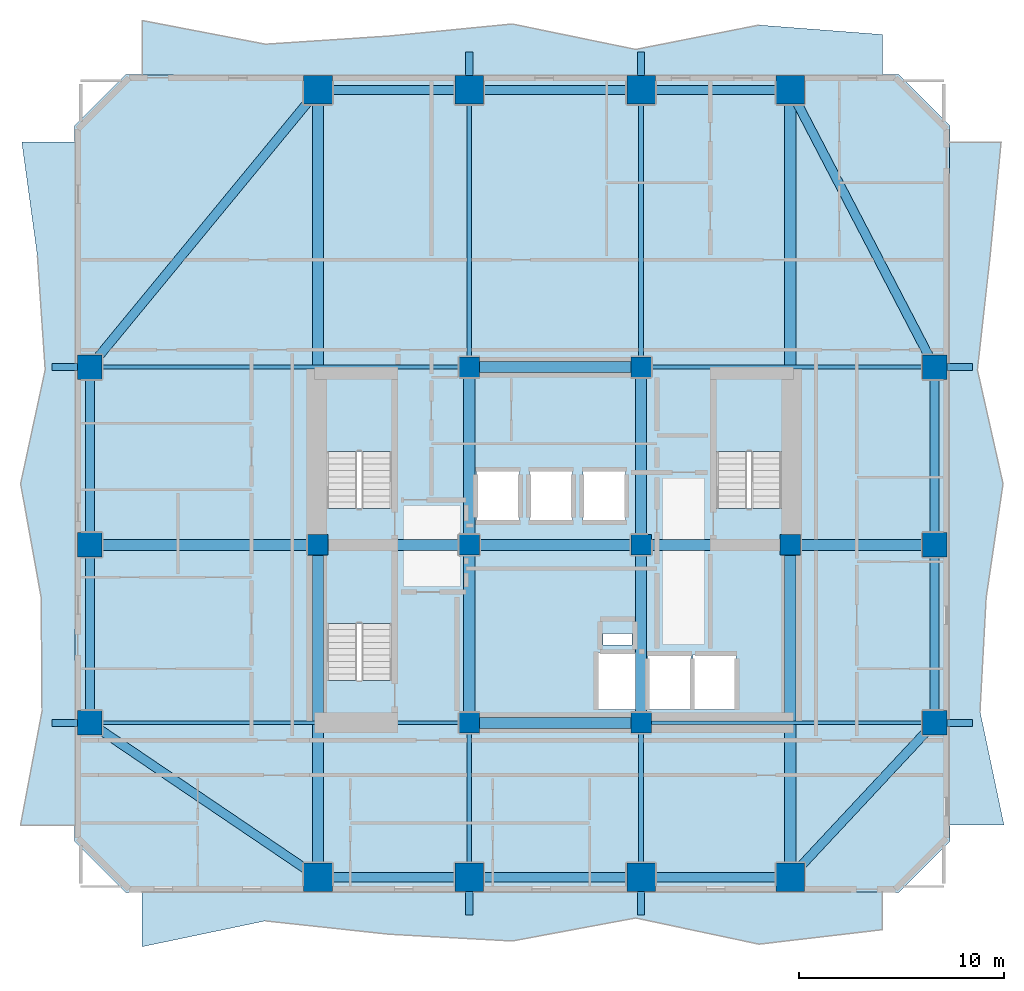
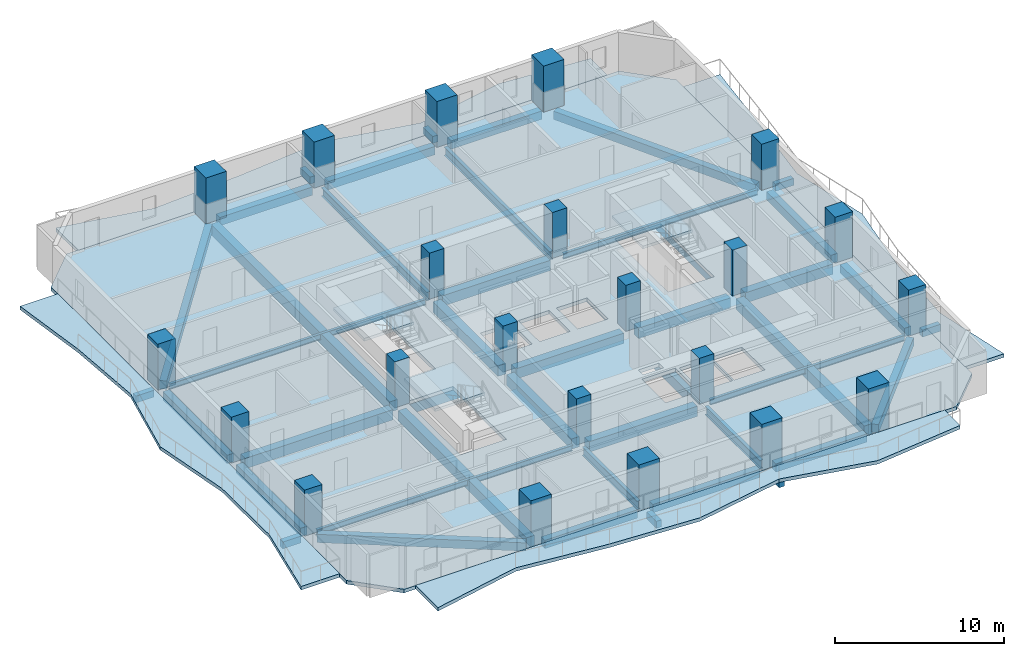
# One storey, part 1 of 10: 45 beams, 22 columns, 8 slabs, 3 elements without a shape of their own.
"""IFC4 building model written with IfcOpenShell, lengths in metres."""

import ifcopenshell
import ifcopenshell.guid

model = None  # the IFC model being written
_history = None  # IfcOwnerHistory: only IFC2X3 demands one
_inside = {}  # id of a spatial element -> (the spatial element, [elements in it])
_under = {}  # id of a project, library or spatial element -> (it, [spatial elements below it])
_declared = {}  # id of a project -> (the project, [libraries it declares])
_typed = {}  # id of a type object -> (the type object, [elements of that type])
_made_of = {}  # id of a material, layer set ... -> (it, [elements and type objects made of it])


def new_model(schema):
    """Start an empty IFC model of exactly this schema.

    Asked for "IFC4X3", IfcOpenShell would pick the latest addendum, in which some entities
    have other attributes; the version numbers below select the first issue.
    IFC2X3 requires an IfcOwnerHistory on every rooted entity: one is made here for all.
    """
    global model, _history
    if schema == "IFC4X3":
        model = ifcopenshell.file(schema_version=(4, 3, 0, 0))
    else:
        model = ifcopenshell.file(schema=schema)
    _inside.clear()
    _under.clear()
    _declared.clear()
    _typed.clear()
    _made_of.clear()
    _history = None
    if model.schema == "IFC2X3":
        org = make("IfcOrganization", Name="unknown")
        user = make(
            "IfcPersonAndOrganization",
            ThePerson=make("IfcPerson", FamilyName="unknown"),
            TheOrganization=org,
        )
        app = make(
            "IfcApplication",
            ApplicationDeveloper=org,
            Version="unknown",
            ApplicationFullName="unknown",
            ApplicationIdentifier="unknown",
        )
        _history = make(
            "IfcOwnerHistory",
            OwningUser=user,
            OwningApplication=app,
            ChangeAction="ADDED",
            CreationDate=0,
        )
    return model


def make(cls, **values):
    """One entity of the class cls with the attributes given. An attribute that is None is left unset."""
    return model.create_entity(
        cls, **{name: value for name, value in values.items() if value is not None}
    )


def rooted(cls, **values):
    """An entity with a GlobalId (a new one), such as an element, a storey or a relation."""
    return make(cls, GlobalId=ifcopenshell.guid.new(), OwnerHistory=_history, **values)


def si_unit(unit_type, name, prefix=None):
    """IfcSIUnit, for example si_unit("LENGTHUNIT", "METRE", prefix="MILLI")."""
    return make("IfcSIUnit", UnitType=unit_type, Prefix=prefix, Name=name)


def assignment(units):
    """IfcUnitAssignment: the units of a project."""
    return None if units is None else make("IfcUnitAssignment", Units=units)


def point(xyz):
    """IfcCartesianPoint."""
    return None if xyz is None else make("IfcCartesianPoint", Coordinates=xyz)


def direction(xyz):
    """IfcDirection."""
    return None if xyz is None else make("IfcDirection", DirectionRatios=xyz)


def frame(location, z_axis=None, x_axis=None):
    """IfcAxis2Placement3D, a coordinate frame: its origin and axes. An axis left out is left unset."""
    return make(
        "IfcAxis2Placement3D",
        Location=point(location),
        Axis=direction(z_axis),
        RefDirection=direction(x_axis),
    )


def frame_2d(location, x_axis=None):
    """IfcAxis2Placement2D, a coordinate frame in the plane: its origin and x axis."""
    return make(
        "IfcAxis2Placement2D", Location=point(location), RefDirection=direction(x_axis)
    )


def origin():
    """The frame at (0, 0, 0) with its axes left unset."""
    return frame((0.0, 0.0, 0.0))


def origin_2d():
    """The frame at (0, 0) in the plane with its x axis left unset."""
    return frame_2d((0.0, 0.0))


def place(relative_to, where):
    """IfcLocalPlacement: puts the frame where relative to a parent placement (None: the world)."""
    return make(
        "IfcLocalPlacement", PlacementRelTo=relative_to, RelativePlacement=where
    )


def context(
    kind, dimensions, precision=None, world=None, true_north=None, identifier=None
):
    """IfcGeometricRepresentationContext, for example the 3D "Model" context."""
    return make(
        "IfcGeometricRepresentationContext",
        ContextIdentifier=identifier,
        ContextType=kind,
        CoordinateSpaceDimension=dimensions,
        Precision=precision,
        WorldCoordinateSystem=world,
        TrueNorth=true_north,
    )


def subcontext(parent, identifier, kind, view, scale=None):
    """IfcGeometricRepresentationSubContext, for example "Body" below "Model"."""
    return make(
        "IfcGeometricRepresentationSubContext",
        ContextIdentifier=identifier,
        ContextType=kind,
        ParentContext=parent,
        TargetScale=scale,
        TargetView=view,
    )


def project(units=None, contexts=None):
    """IfcProject with its units and contexts."""
    return rooted(
        "IfcProject",
        Name="project",
        RepresentationContexts=contexts,
        UnitsInContext=assignment(units),
    )


def spatial(cls, under=None, at=None, **own):
    """A site, building, storey or space (cls), placed at a placement, below another one or the project."""
    s = rooted(cls, ObjectPlacement=at, **own)
    if under is not None:
        _under.setdefault(under.id(), (under, []))[1].append(s)
    return s


def polyline(points):
    """IfcPolyline through the points."""
    return make("IfcPolyline", Points=[point(p) for p in points])


def profile(cls, at=None, kind="AREA", **sizes):
    """A parametric profile (cls). Its sizes go by their IFC names, for example OverallWidth=200.0."""
    return make(cls, ProfileType=kind, Position=at, **sizes)


def rectangle(**sizes):
    """IfcRectangleProfileDef."""
    return profile("IfcRectangleProfileDef", **sizes)


def i_section(**sizes):
    """IfcIShapeProfileDef."""
    return profile("IfcIShapeProfileDef", **sizes)


def outline(outer, holes=None, kind="AREA"):
    """IfcArbitraryClosedProfileDef: a profile drawn as a closed curve; with holes, ...WithVoids."""
    if holes is None:
        return make("IfcArbitraryClosedProfileDef", ProfileType=kind, OuterCurve=outer)
    return make(
        "IfcArbitraryProfileDefWithVoids",
        ProfileType=kind,
        OuterCurve=outer,
        InnerCurves=holes,
    )


def extrude(swept, where, along, depth):
    """IfcExtrudedAreaSolid: the profile swept, set in the frame where, extruded along a direction by depth."""
    return make(
        "IfcExtrudedAreaSolid",
        SweptArea=swept,
        Position=where,
        ExtrudedDirection=direction(along),
        Depth=depth,
    )


def shape(context_of_items, identifier, shape_type, items):
    """IfcShapeRepresentation: the items that make up one representation, for example the "Body"."""
    return make(
        "IfcShapeRepresentation",
        ContextOfItems=context_of_items,
        RepresentationIdentifier=identifier,
        RepresentationType=shape_type,
        Items=items,
    )


def material(Name=None, Category=None):
    """IfcMaterial."""
    return make("IfcMaterial", Name=Name, Category=Category)


def layer(
    of_material, thickness, ventilated=None, Name=None, Category=None, Priority=None
):
    """IfcMaterialLayer: one layer of a wall or slab, of a material (None: an air gap)."""
    return make(
        "IfcMaterialLayer",
        Material=of_material,
        LayerThickness=thickness,
        IsVentilated=ventilated,
        Name=Name,
        Category=Category,
        Priority=Priority,
    )


def layer_set(layers, Name=None):
    """IfcMaterialLayerSet."""
    return make("IfcMaterialLayerSet", MaterialLayers=layers, LayerSetName=Name)


def material_profile(
    of_material, cross_section, Name=None, Category=None, Priority=None
):
    """IfcMaterialProfile: a cross section and its material."""
    return make(
        "IfcMaterialProfile",
        Name=Name,
        Material=of_material,
        Profile=cross_section,
        Priority=Priority,
        Category=Category,
    )


def profile_set(profiles, Name=None, composite=None):
    """IfcMaterialProfileSet."""
    return make(
        "IfcMaterialProfileSet",
        Name=Name,
        MaterialProfiles=profiles,
        CompositeProfile=composite,
    )


def made_of(thing, what):
    """Note that an element or type object is made of a material, layer set ...; save() writes the relation."""
    if what is not None:
        _made_of.setdefault(what.id(), (what, []))[1].append(thing)
    return thing


def type_object(cls, material=None, **own):
    """A type object (cls), such as IfcWallType, which elements share."""
    return made_of(rooted(cls, **own), material)


def element(
    cls,
    number,
    at=None,
    inside=None,
    cuts=None,
    type_object=None,
    material=None,
    context=None,
    identifier="Body",
    shape_type=None,
    held_by="IfcProductDefinitionShape",
    body=None,
    shapes=None,
    **own,
):
    """One element of the class cls, such as IfcWall. Its Tag is "e" and its number.

    at: its placement. inside: the storey or other place that contains it. cuts: it is an
    opening in that element (IfcRelVoidsElement). A single representation is given by context,
    identifier, shape_type and body (its items); several are given by shapes. held_by: the class
    of the entity that holds the representations. save() writes the other relations.
    """
    e = rooted(cls, Tag="e%d" % number, ObjectPlacement=at, **own)
    if body is not None:
        shapes = [shape(context, identifier, shape_type, body)]
    if shapes is not None:
        e.Representation = make(held_by, Representations=shapes)
    if inside is not None:
        _inside.setdefault(inside.id(), (inside, []))[1].append(e)
    if cuts is not None:
        rooted(
            "IfcRelVoidsElement", RelatingBuildingElement=cuts, RelatedOpeningElement=e
        )
    if type_object is not None:
        _typed.setdefault(type_object.id(), (type_object, []))[1].append(e)
    return made_of(e, material)


def aggregate(whole, parts):
    """IfcRelAggregates: a whole, such as a stair, and the parts it consists of."""
    return rooted("IfcRelAggregates", RelatingObject=whole, RelatedObjects=parts)


def save(model, path):
    """Write the relations noted so far, then the file.

    IfcRelAggregates (storeys below a building ...), IfcRelContainedInSpatialStructure (elements
    in a storey), IfcRelDefinesByType, IfcRelAssociatesMaterial and IfcRelDeclares: one each for
    every whole, place, type object, material and project.
    """
    for whole, parts in _under.values():
        aggregate(whole, parts)
    for where, things in _inside.values():
        rooted(
            "IfcRelContainedInSpatialStructure",
            RelatedElements=things,
            RelatingStructure=where,
        )
    for kind, things in _typed.values():
        rooted("IfcRelDefinesByType", RelatedObjects=things, RelatingType=kind)
    for what, things in _made_of.values():
        rooted("IfcRelAssociatesMaterial", RelatedObjects=things, RelatingMaterial=what)
    for by, libraries in _declared.values():
        rooted("IfcRelDeclares", RelatingContext=by, RelatedDefinitions=libraries)
    model.write(path)


model = new_model("IFC4")

# Units and contexts
model_context = context("Model", 3, precision=1e-05, world=origin(), true_north=direction((0.0, 1.0)))
body_context = subcontext(model_context, "Body", "Model", "MODEL_VIEW")
ifc_project = project(units=[si_unit("LENGTHUNIT", "METRE"), si_unit("AREAUNIT", "SQUARE_METRE"), si_unit("VOLUMEUNIT", "CUBIC_METRE"), si_unit("PLANEANGLEUNIT", "RADIAN"), si_unit("MASSUNIT", "GRAM", prefix="KILO")], contexts=[model_context])

# Site, building, storey
site_placement = place(None, origin())
site = spatial("IfcSite", under=ifc_project, at=site_placement, CompositionType="ELEMENT")
building_placement = place(site_placement, origin())
building = spatial("IfcBuilding", under=site, at=building_placement, Name="Solanera Arch Residences", CompositionType="ELEMENT")
storey_placement = place(building_placement, frame((0.0, 0.0, 99.43994140625)))
storey = spatial("IfcBuildingStorey", under=building, at=storey_placement, Name="L28", CompositionType="ELEMENT", Elevation=99.43994140625)

# Columns
ifc_material_1 = material(Name="Concrete C55/67 (f'c = 60 MPa)", Category="concrete")
ifc_material_profile_1 = material_profile(ifc_material_1, rectangle(XDim=1.0, YDim=1.0, at=origin_2d()))
ifc_profile_set_1 = profile_set([ifc_material_profile_1], Name="Concrete C55/67 (f'c = 60 MPa)")
column_type_1 = type_object("IfcColumnType", Name="Structural Column RC-COL-1000X1000", PredefinedType="COLUMN", material=ifc_profile_set_1)
for number, where, z_axis, x_axis, name in (
    (1, (20.800048828125, 22.0, 0.0), (0.0, 0.0, 1.0), (1.0, 0.0, 0.0), "COL-L28-CB-SW"),
    (2, (29.199951171875, 22.0, 0.0), (0.0, 0.0, 1.0), (1.0, 0.0, 0.0), "COL-L28-CB-SE"),
    (3, (20.800048828125, 39.39990234375, 0.0), (0.0, 0.0, 1.0), (1.0, 0.0, 0.0), "COL-L28-CB-NW"),
    (4, (29.199951171875, 39.39990234375, 0.0), (0.0, 0.0, 1.0), (1.0, 0.0, 0.0), "COL-L28-CB-NE"),
    (5, (13.39990234375, 30.699951171875, 0.0), (0.0, 0.0, 1.0), (1.0, 0.0, 0.0), "COL-L28-CB-WW"),
    (6, (36.5, 30.699951171875, 0.0), (0.0, 0.0, 1.0), (1.0, 0.0, 0.0), "COL-L28-CB-EE"),
    (7, (20.800048828125, 30.699951171875, 0.0), (0.0, 0.0, 1.0), (1.0, 0.0, 0.0), "COL-L28-CORE-W"),
    (8, (29.199951171875, 30.699951171875, 0.0), (0.0, 0.0, 1.0), (1.0, 0.0, 0.0), "COL-L28-CORE-E"),
):
    element("IfcColumn", number, at=place(storey_placement, frame(where, z_axis=z_axis, x_axis=x_axis)), inside=storey, type_object=column_type_1, Name=name, PredefinedType="COLUMN", context=body_context, shape_type="SweptSolid", body=[
        extrude(rectangle(XDim=1.0, YDim=1.0, at=origin_2d()), origin(), (0.0, 0.0, 1.0), 3.320068359375),
    ])
ifc_material_2 = material(Name="Concrete C55/67 (f'c = 60 MPa)", Category="concrete")
ifc_material_profile_2 = material_profile(ifc_material_2, rectangle(XDim=1.199951171875, YDim=1.199951171875, at=origin_2d()))
ifc_profile_set_2 = profile_set([ifc_material_profile_2], Name="Concrete C55/67 (f'c = 60 MPa)")
column_type_2 = type_object("IfcColumnType", Name="Structural Column RC-COL-1200X1200", PredefinedType="COLUMN", material=ifc_profile_set_2)
for number, where, z_axis, x_axis, name in (
    (9, (2.25, 22.0, 0.0), (0.0, 0.0, 1.0), (1.0, 0.0, 0.0), "COL-L28-TWR-09"),
    (10, (43.550048828125, 22.0, 0.0), (0.0, 0.0, 1.0), (1.0, 0.0, 0.0), "COL-L28-TWR-10"),
    (11, (2.25, 30.699951171875, 0.0), (0.0, 0.0, 1.0), (1.0, 0.0, 0.0), "COL-L28-TWR-11"),
    (12, (43.550048828125, 30.699951171875, 0.0), (0.0, 0.0, 1.0), (1.0, 0.0, 0.0), "COL-L28-TWR-12"),
    (13, (2.25, 39.39990234375, 0.0), (0.0, 0.0, 1.0), (1.0, 0.0, 0.0), "COL-L28-TWR-13"),
    (14, (43.550048828125, 39.39990234375, 0.0), (0.0, 0.0, 1.0), (1.0, 0.0, 0.0), "COL-L28-TWR-14"),
):
    element("IfcColumn", number, at=place(storey_placement, frame(where, z_axis=z_axis, x_axis=x_axis)), inside=storey, type_object=column_type_2, Name=name, PredefinedType="COLUMN", context=body_context, shape_type="SweptSolid", body=[
        extrude(rectangle(XDim=1.199951171875, YDim=1.199951171875, at=origin_2d()), origin(), (0.0, 0.0, 1.0), 3.320068359375),
    ])
ifc_material_3 = material(Name="Concrete C55/67 (f'c = 60 MPa)", Category="concrete")
ifc_material_profile_3 = material_profile(ifc_material_3, rectangle(XDim=1.39990234375, YDim=1.39990234375, at=origin_2d()))
ifc_profile_set_3 = profile_set([ifc_material_profile_3], Name="Concrete C55/67 (f'c = 60 MPa)")
column_type_3 = type_object("IfcColumnType", Name="Structural Column RC-COL-1400X1400", PredefinedType="COLUMN", material=ifc_profile_set_3)
for number, where, z_axis, x_axis, name in (
    (15, (13.39990234375, 14.449951171875, 0.0), (0.0, 0.0, 1.0), (1.0, 0.0, 0.0), "COL-L28-TWR-01"),
    (16, (13.39990234375, 52.949951171875, 0.0), (0.0, 0.0, 1.0), (1.0, 0.0, 0.0), "COL-L28-TWR-02"),
    (17, (20.800048828125, 14.449951171875, 0.0), (0.0, 0.0, 1.0), (1.0, 0.0, 0.0), "COL-L28-TWR-03"),
    (18, (20.800048828125, 52.949951171875, 0.0), (0.0, 0.0, 1.0), (1.0, 0.0, 0.0), "COL-L28-TWR-04"),
    (19, (29.199951171875, 14.449951171875, 0.0), (0.0, 0.0, 1.0), (1.0, 0.0, 0.0), "COL-L28-TWR-05"),
    (20, (29.199951171875, 52.949951171875, 0.0), (0.0, 0.0, 1.0), (1.0, 0.0, 0.0), "COL-L28-TWR-06"),
    (21, (36.5, 14.449951171875, 0.0), (0.0, 0.0, 1.0), (1.0, 0.0, 0.0), "COL-L28-TWR-07"),
    (22, (36.5, 52.949951171875, 0.0), (0.0, 0.0, 1.0), (1.0, 0.0, 0.0), "COL-L28-TWR-08"),
):
    element("IfcColumn", number, at=place(storey_placement, frame(where, z_axis=z_axis, x_axis=x_axis)), inside=storey, type_object=column_type_3, Name=name, PredefinedType="COLUMN", context=body_context, shape_type="SweptSolid", body=[
        extrude(rectangle(XDim=1.39990234375, YDim=1.39990234375, at=origin_2d()), origin(), (0.0, 0.0, 1.0), 3.320068359375),
    ])

# Beams
ifc_material_4 = material(Name="Concrete C40/50 (f'c = 45 MPa)", Category="concrete")
ifc_material_profile_4 = material_profile(ifc_material_4, rectangle(XDim=0.35009765625, YDim=0.5, at=origin_2d()))
ifc_profile_set_4 = profile_set([ifc_material_profile_4], Name="Concrete C40/50 (f'c = 45 MPa)")
beam_type_1 = type_object("IfcBeamType", Name="BM-BALC-RIB", PredefinedType="BEAM", material=ifc_profile_set_4)
for number, where, z_axis, x_axis, name in (
    (23, (20.800048828125, 12.60009765625, -0.5), (0.0, 1.0, 0.0), (-1.0, 0.0, 0.0), "BM-L28-BRIB-S1"),
    (24, (29.199951171875, 12.60009765625, -0.5), (0.0, 1.0, 0.0), (-1.0, 0.0, 0.0), "BM-L28-BRIB-S2"),
):
    element("IfcBeam", number, at=place(storey_placement, frame(where, z_axis=z_axis, x_axis=x_axis)), inside=storey, type_object=beam_type_1, Name=name, PredefinedType="BEAM", context=body_context, shape_type="SweptSolid", body=[
        extrude(rectangle(XDim=0.35009765625, YDim=0.5, at=origin_2d()), origin(), (0.0, 0.0, 1.0), 1.14990234375),
    ])
for number, where, z_axis, x_axis, name in (
    (25, (20.800048828125, 53.64990234375, -0.5), (0.0, 1.0, 0.0), (-1.0, 0.0, 0.0), "BM-L28-BRIB-N1"),
    (26, (29.199951171875, 53.64990234375, -0.5), (0.0, 1.0, 0.0), (-1.0, 0.0, 0.0), "BM-L28-BRIB-N2"),
):
    element("IfcBeam", number, at=place(storey_placement, frame(where, z_axis=z_axis, x_axis=x_axis)), inside=storey, type_object=beam_type_1, Name=name, PredefinedType="BEAM", context=body_context, shape_type="SweptSolid", body=[
        extrude(rectangle(XDim=0.35009765625, YDim=0.5, at=origin_2d()), origin(), (0.0, 0.0, 1.0), 1.150146484375),
    ])
for number, where, z_axis, x_axis, name in (
    (27, (44.14990234375, 22.0, -0.5), (1.0, 0.0, 0.0), (0.0, 1.0, 0.0), "BM-L28-BRIB-E1"),
    (28, (44.14990234375, 39.39990234375, -0.5), (1.0, 0.0, 0.0), (0.0, 1.0, 0.0), "BM-L28-BRIB-E2"),
    (29, (0.39990234375, 22.0, -0.5), (1.0, 0.0, 0.0), (0.0, 1.0, 0.0), "BM-L28-BRIB-W1"),
    (30, (0.39990234375, 39.39990234375, -0.5), (1.0, 0.0, 0.0), (0.0, 1.0, 0.0), "BM-L28-BRIB-W2"),
):
    element("IfcBeam", number, at=place(storey_placement, frame(where, z_axis=z_axis, x_axis=x_axis)), inside=storey, type_object=beam_type_1, Name=name, PredefinedType="BEAM", context=body_context, shape_type="SweptSolid", body=[
        extrude(rectangle(XDim=0.35009765625, YDim=0.5, at=origin_2d()), origin(), (0.0, 0.0, 1.0), 1.25),
    ])
ifc_material_5 = material(Name="Concrete C40/50 (f'c = 45 MPa)", Category="concrete")
ifc_material_profile_5 = material_profile(ifc_material_5, rectangle(XDim=0.550048828125, YDim=0.75, at=origin_2d()))
ifc_profile_set_5 = profile_set([ifc_material_profile_5], Name="Concrete C40/50 (f'c = 45 MPa)")
beam_type_2 = type_object("IfcBeamType", Name="Primary Beam RC-BM-550X750", PredefinedType="BEAM", material=ifc_profile_set_5)
beam_1_placement = place(storey_placement, frame((20.800048828125, 22.50390625, -0.635009765625), z_axis=(0.0, 1.0, 0.0), x_axis=(-1.0, 0.0, 0.0)))
element("IfcBeam", 31, at=beam_1_placement, inside=storey, type_object=beam_type_2, Name="BM-L28-CC-S-208", PredefinedType="BEAM", context=body_context, shape_type="SweptSolid", body=[
    extrude(rectangle(XDim=0.550048828125, YDim=0.75, at=origin_2d()), origin(), (0.0, 0.0, 1.0), 7.692138671875),
])
beam_2_placement = place(storey_placement, frame((20.800048828125, 31.2041015625, -0.635009765625), z_axis=(0.0, 1.0, 0.0), x_axis=(-1.0, 0.0, 0.0)))
element("IfcBeam", 32, at=beam_2_placement, inside=storey, type_object=beam_type_2, Name="BM-L28-CC-N-208", PredefinedType="BEAM", context=body_context, shape_type="SweptSolid", body=[
    extrude(rectangle(XDim=0.550048828125, YDim=0.75, at=origin_2d()), origin(), (0.0, 0.0, 1.0), 7.69189453125),
])
beam_3_placement = place(storey_placement, frame((29.199951171875, 22.50390625, -0.635009765625), z_axis=(0.0, 1.0, 0.0), x_axis=(-1.0, 0.0, 0.0)))
element("IfcBeam", 33, at=beam_3_placement, inside=storey, type_object=beam_type_2, Name="BM-L28-CC-S-292", PredefinedType="BEAM", context=body_context, shape_type="SweptSolid", body=[
    extrude(rectangle(XDim=0.550048828125, YDim=0.75, at=origin_2d()), origin(), (0.0, 0.0, 1.0), 7.692138671875),
])
beam_4_placement = place(storey_placement, frame((29.199951171875, 31.2041015625, -0.635009765625), z_axis=(0.0, 1.0, 0.0), x_axis=(-1.0, 0.0, 0.0)))
element("IfcBeam", 34, at=beam_4_placement, inside=storey, type_object=beam_type_2, Name="BM-L28-CC-N-292", PredefinedType="BEAM", context=body_context, shape_type="SweptSolid", body=[
    extrude(rectangle(XDim=0.550048828125, YDim=0.75, at=origin_2d()), origin(), (0.0, 0.0, 1.0), 7.69189453125),
])
for number, where, z_axis, x_axis, name in (
    (35, (21.303955078125, 22.0, -0.635009765625), (1.0, 0.0, 0.0), (0.0, 1.0, 0.0), "BM-L28-CC-M-220"),
    (36, (21.303955078125, 30.699951171875, -0.635009765625), (1.0, 0.0, 0.0), (0.0, 1.0, 0.0), "BM-L28-CC-M-307"),
    (37, (21.303955078125, 39.39990234375, -0.635009765625), (1.0, 0.0, 0.0), (0.0, 1.0, 0.0), "BM-L28-CC-M-394"),
):
    element("IfcBeam", number, at=place(storey_placement, frame(where, z_axis=z_axis, x_axis=x_axis)), inside=storey, type_object=beam_type_2, Name=name, PredefinedType="BEAM", context=body_context, shape_type="SweptSolid", body=[
        extrude(rectangle(XDim=0.550048828125, YDim=0.75, at=origin_2d()), origin(), (0.0, 0.0, 1.0), 7.39208984375),
    ])
beam_5_placement = place(storey_placement, frame((13.904052734375, 30.699951171875, -0.635009765625), z_axis=(1.0, 0.0, 0.0), x_axis=(0.0, 1.0, 0.0)))
element("IfcBeam", 38, at=beam_5_placement, inside=storey, type_object=beam_type_2, Name="BM-L28-CC-W", PredefinedType="BEAM", context=body_context, shape_type="SweptSolid", body=[
    extrude(rectangle(XDim=0.550048828125, YDim=0.75, at=origin_2d()), origin(), (0.0, 0.0, 1.0), 6.391845703125),
])
beam_6_placement = place(storey_placement, frame((29.7041015625, 30.699951171875, -0.635009765625), z_axis=(1.0, 0.0, 0.0), x_axis=(0.0, 1.0, 0.0)))
element("IfcBeam", 39, at=beam_6_placement, inside=storey, type_object=beam_type_2, Name="BM-L28-CC-E", PredefinedType="BEAM", context=body_context, shape_type="SweptSolid", body=[
    extrude(rectangle(XDim=0.550048828125, YDim=0.75, at=origin_2d()), origin(), (0.0, 0.0, 1.0), 6.2919921875),
])
beam_7_placement = place(storey_placement, frame((13.39990234375, 14.989990234375, -0.635009765625), z_axis=(0.0, 1.0, 0.0), x_axis=(-1.0, 0.0, 0.0)))
element("IfcBeam", 40, at=beam_7_placement, inside=storey, type_object=beam_type_2, Name="BM-L28-RAD-OS-134", PredefinedType="BEAM", context=body_context, shape_type="SweptSolid", body=[
    extrude(rectangle(XDim=0.550048828125, YDim=0.75, at=origin_2d()), origin(), (0.0, 0.0, 1.0), 15.2060546875),
])
beam_8_placement = place(storey_placement, frame((13.39990234375, 31.2041015625, -0.635009765625), z_axis=(0.0, 1.0, 0.0), x_axis=(-1.0, 0.0, 0.0)))
element("IfcBeam", 41, at=beam_8_placement, inside=storey, type_object=beam_type_2, Name="BM-L28-RAD-ON-134", PredefinedType="BEAM", context=body_context, shape_type="SweptSolid", body=[
    extrude(rectangle(XDim=0.550048828125, YDim=0.75, at=origin_2d()), origin(), (0.0, 0.0, 1.0), 21.205810546875),
])
beam_9_placement = place(storey_placement, frame((36.5, 14.989990234375, -0.635009765625), z_axis=(0.0, 1.0, 0.0), x_axis=(-1.0, 0.0, 0.0)))
element("IfcBeam", 42, at=beam_9_placement, inside=storey, type_object=beam_type_2, Name="BM-L28-RAD-OS-365", PredefinedType="BEAM", context=body_context, shape_type="SweptSolid", body=[
    extrude(rectangle(XDim=0.550048828125, YDim=0.75, at=origin_2d()), origin(), (0.0, 0.0, 1.0), 15.2060546875),
])
beam_10_placement = place(storey_placement, frame((36.5, 31.2041015625, -0.635009765625), z_axis=(0.0, 1.0, 0.0), x_axis=(-1.0, 0.0, 0.0)))
element("IfcBeam", 43, at=beam_10_placement, inside=storey, type_object=beam_type_2, Name="BM-L28-RAD-ON-365", PredefinedType="BEAM", context=body_context, shape_type="SweptSolid", body=[
    extrude(rectangle(XDim=0.550048828125, YDim=0.75, at=origin_2d()), origin(), (0.0, 0.0, 1.0), 21.205810546875),
])
beam_11_placement = place(storey_placement, frame((2.7900390625, 30.699951171875, -0.635009765625), z_axis=(1.0, 0.0, 0.0), x_axis=(0.0, 1.0, 0.0)))
element("IfcBeam", 44, at=beam_11_placement, inside=storey, type_object=beam_type_2, Name="BM-L28-RAD-MW", PredefinedType="BEAM", context=body_context, shape_type="SweptSolid", body=[
    extrude(rectangle(XDim=0.550048828125, YDim=0.75, at=origin_2d()), origin(), (0.0, 0.0, 1.0), 10.10595703125),
])
beam_12_placement = place(storey_placement, frame((37.00390625, 30.699951171875, -0.635009765625), z_axis=(1.0, 0.0, 0.0), x_axis=(0.0, 1.0, 0.0)))
element("IfcBeam", 45, at=beam_12_placement, inside=storey, type_object=beam_type_2, Name="BM-L28-RAD-ME", PredefinedType="BEAM", context=body_context, shape_type="SweptSolid", body=[
    extrude(rectangle(XDim=0.550048828125, YDim=0.75, at=origin_2d()), origin(), (0.0, 0.0, 1.0), 6.006103515625),
])
ifc_material_6 = material(Name="Steel S355 (ASTM A992 / A572 Grade 50)", Category="steel")
ifc_material_profile_6 = material_profile(ifc_material_6, i_section(OverallWidth=0.22998046875, OverallDepth=0.616943359375, WebThickness=0.01318359375, FlangeThickness=0.022216796875, at=origin_2d()))
ifc_profile_set_6 = profile_set([ifc_material_profile_6], Name="Steel S355 (ASTM A992 / A572 Grade 50)")
beam_type_3 = type_object("IfcBeamType", Name="Primary Beam W610X140", PredefinedType="BEAM", material=ifc_profile_set_6)
beam_13_placement = place(storey_placement, frame((20.800048828125, 14.989990234375, -0.56787109375), z_axis=(0.0, 1.0, 0.0), x_axis=(-1.0, 0.0, 0.0)))
element("IfcBeam", 46, at=beam_13_placement, inside=storey, type_object=beam_type_3, Name="BM-L28-RAD-S-208", PredefinedType="BEAM", context=body_context, shape_type="SweptSolid", body=[
    extrude(i_section(OverallWidth=0.22998046875, OverallDepth=0.616943359375, WebThickness=0.01318359375, FlangeThickness=0.022216796875, at=origin_2d()), origin(), (0.0, 0.0, 1.0), 6.506103515625),
])
beam_14_placement = place(storey_placement, frame((20.800048828125, 39.904052734375, -0.56787109375), z_axis=(0.0, 1.0, 0.0), x_axis=(-1.0, 0.0, 0.0)))
element("IfcBeam", 47, at=beam_14_placement, inside=storey, type_object=beam_type_3, Name="BM-L28-RAD-N-208", PredefinedType="BEAM", context=body_context, shape_type="SweptSolid", body=[
    extrude(i_section(OverallWidth=0.22998046875, OverallDepth=0.616943359375, WebThickness=0.01318359375, FlangeThickness=0.022216796875, at=origin_2d()), origin(), (0.0, 0.0, 1.0), 12.505859375),
])
beam_15_placement = place(storey_placement, frame((29.199951171875, 14.989990234375, -0.56787109375), z_axis=(0.0, 1.0, 0.0), x_axis=(-1.0, 0.0, 0.0)))
element("IfcBeam", 48, at=beam_15_placement, inside=storey, type_object=beam_type_3, Name="BM-L28-RAD-S-292", PredefinedType="BEAM", context=body_context, shape_type="SweptSolid", body=[
    extrude(i_section(OverallWidth=0.22998046875, OverallDepth=0.616943359375, WebThickness=0.01318359375, FlangeThickness=0.022216796875, at=origin_2d()), origin(), (0.0, 0.0, 1.0), 6.506103515625),
])
beam_16_placement = place(storey_placement, frame((29.199951171875, 39.904052734375, -0.56787109375), z_axis=(0.0, 1.0, 0.0), x_axis=(-1.0, 0.0, 0.0)))
element("IfcBeam", 49, at=beam_16_placement, inside=storey, type_object=beam_type_3, Name="BM-L28-RAD-N-292", PredefinedType="BEAM", context=body_context, shape_type="SweptSolid", body=[
    extrude(i_section(OverallWidth=0.22998046875, OverallDepth=0.616943359375, WebThickness=0.01318359375, FlangeThickness=0.022216796875, at=origin_2d()), origin(), (0.0, 0.0, 1.0), 12.505859375),
])
ifc_material_7 = material(Name="Steel S355 (ASTM A992 / A572 Grade 50)", Category="steel")
ifc_material_profile_7 = material_profile(ifc_material_7, i_section(OverallWidth=0.178955078125, OverallDepth=0.409912109375, WebThickness=0.0087890625, FlangeThickness=0.014404296875, at=origin_2d()))
ifc_profile_set_7 = profile_set([ifc_material_profile_7], Name="Steel S355 (ASTM A992 / A572 Grade 50)")
beam_type_4 = type_object("IfcBeamType", Name="Secondary Joist W410X67", PredefinedType="JOIST", material=ifc_profile_set_7)
beam_17_placement = place(storey_placement, frame((2.7900390625, 22.0, -0.46484375), z_axis=(1.0, 0.0, 0.0), x_axis=(0.0, 1.0, 0.0)))
element("IfcBeam", 50, at=beam_17_placement, inside=storey, type_object=beam_type_4, Name="BM-L28-RAD-W-220", PredefinedType="JOIST", context=body_context, shape_type="SweptSolid", body=[
    extrude(i_section(OverallWidth=0.178955078125, OverallDepth=0.409912109375, WebThickness=0.0087890625, FlangeThickness=0.014404296875, at=origin_2d()), origin(), (0.0, 0.0, 1.0), 17.505859375),
])
beam_18_placement = place(storey_placement, frame((29.7041015625, 22.0, -0.46484375), z_axis=(1.0, 0.0, 0.0), x_axis=(0.0, 1.0, 0.0)))
element("IfcBeam", 51, at=beam_18_placement, inside=storey, type_object=beam_type_4, Name="BM-L28-RAD-E-220", PredefinedType="JOIST", context=body_context, shape_type="SweptSolid", body=[
    extrude(i_section(OverallWidth=0.178955078125, OverallDepth=0.409912109375, WebThickness=0.0087890625, FlangeThickness=0.014404296875, at=origin_2d()), origin(), (0.0, 0.0, 1.0), 13.305908203125),
])
beam_19_placement = place(storey_placement, frame((2.7900390625, 39.39990234375, -0.46484375), z_axis=(1.0, 0.0, 0.0), x_axis=(0.0, 1.0, 0.0)))
element("IfcBeam", 52, at=beam_19_placement, inside=storey, type_object=beam_type_4, Name="BM-L28-RAD-W-394", PredefinedType="JOIST", context=body_context, shape_type="SweptSolid", body=[
    extrude(i_section(OverallWidth=0.178955078125, OverallDepth=0.409912109375, WebThickness=0.0087890625, FlangeThickness=0.014404296875, at=origin_2d()), origin(), (0.0, 0.0, 1.0), 17.505859375),
])
beam_20_placement = place(storey_placement, frame((29.7041015625, 39.39990234375, -0.46484375), z_axis=(1.0, 0.0, 0.0), x_axis=(0.0, 1.0, 0.0)))
element("IfcBeam", 53, at=beam_20_placement, inside=storey, type_object=beam_type_4, Name="BM-L28-RAD-E-394", PredefinedType="JOIST", context=body_context, shape_type="SweptSolid", body=[
    extrude(i_section(OverallWidth=0.178955078125, OverallDepth=0.409912109375, WebThickness=0.0087890625, FlangeThickness=0.014404296875, at=origin_2d()), origin(), (0.0, 0.0, 1.0), 13.305908203125),
])
ifc_material_8 = material(Name="Concrete C40/50 (f'c = 45 MPa)", Category="concrete")
ifc_material_profile_8 = material_profile(ifc_material_8, rectangle(XDim=0.449951171875, YDim=0.60009765625, at=origin_2d()))
ifc_profile_set_8 = profile_set([ifc_material_profile_8], Name="Concrete C40/50 (f'c = 45 MPa)")
beam_type_5 = type_object("IfcBeamType", Name="Spandrel Beam RC-BM-450X600", PredefinedType="SPANDREL", material=ifc_profile_set_8)
for number, where, z_axis, x_axis, name in (
    (54, (13.93994140625, 14.449951171875, -0.56005859375), (1.0, 0.0, 0.0), (0.0, 1.0, 0.0), "BM-L28-SPN-S-1"),
    (55, (13.93994140625, 52.949951171875, -0.56005859375), (1.0, 0.0, 0.0), (0.0, 1.0, 0.0), "BM-L28-SPN-N-1"),
):
    element("IfcBeam", number, at=place(storey_placement, frame(where, z_axis=z_axis, x_axis=x_axis)), inside=storey, type_object=beam_type_5, Name=name, PredefinedType="SPANDREL", context=body_context, shape_type="SweptSolid", body=[
        extrude(rectangle(XDim=0.449951171875, YDim=0.60009765625, at=origin_2d()), origin(), (0.0, 0.0, 1.0), 6.320068359375),
    ])
for number, where, z_axis, x_axis, name in (
    (56, (21.340087890625, 14.449951171875, -0.56005859375), (1.0, 0.0, 0.0), (0.0, 1.0, 0.0), "BM-L28-SPN-S-2"),
    (57, (21.340087890625, 52.949951171875, -0.56005859375), (1.0, 0.0, 0.0), (0.0, 1.0, 0.0), "BM-L28-SPN-N-2"),
):
    element("IfcBeam", number, at=place(storey_placement, frame(where, z_axis=z_axis, x_axis=x_axis)), inside=storey, type_object=beam_type_5, Name=name, PredefinedType="SPANDREL", context=body_context, shape_type="SweptSolid", body=[
        extrude(rectangle(XDim=0.449951171875, YDim=0.60009765625, at=origin_2d()), origin(), (0.0, 0.0, 1.0), 7.31982421875),
    ])
for number, where, z_axis, x_axis, name in (
    (58, (29.739990234375, 14.449951171875, -0.56005859375), (1.0, 0.0, 0.0), (0.0, 1.0, 0.0), "BM-L28-SPN-S-3"),
    (59, (29.739990234375, 52.949951171875, -0.56005859375), (1.0, 0.0, 0.0), (0.0, 1.0, 0.0), "BM-L28-SPN-N-3"),
):
    element("IfcBeam", number, at=place(storey_placement, frame(where, z_axis=z_axis, x_axis=x_axis)), inside=storey, type_object=beam_type_5, Name=name, PredefinedType="SPANDREL", context=body_context, shape_type="SweptSolid", body=[
        extrude(rectangle(XDim=0.449951171875, YDim=0.60009765625, at=origin_2d()), origin(), (0.0, 0.0, 1.0), 6.219970703125),
    ])
for number, where, z_axis, x_axis, name in (
    (60, (2.25, 22.5400390625, -0.56005859375), (0.0, 1.0, 0.0), (-1.0, 0.0, 0.0), "BM-L28-SPN-W-1"),
    (61, (43.550048828125, 22.5400390625, -0.56005859375), (0.0, 1.0, 0.0), (-1.0, 0.0, 0.0), "BM-L28-SPN-E-1"),
):
    element("IfcBeam", number, at=place(storey_placement, frame(where, z_axis=z_axis, x_axis=x_axis)), inside=storey, type_object=beam_type_5, Name=name, PredefinedType="SPANDREL", context=body_context, shape_type="SweptSolid", body=[
        extrude(rectangle(XDim=0.449951171875, YDim=0.60009765625, at=origin_2d()), origin(), (0.0, 0.0, 1.0), 7.619873046875),
    ])
for number, where, z_axis, x_axis, name in (
    (62, (2.25, 31.239990234375, -0.56005859375), (0.0, 1.0, 0.0), (-1.0, 0.0, 0.0), "BM-L28-SPN-W-2"),
    (63, (43.550048828125, 31.239990234375, -0.56005859375), (0.0, 1.0, 0.0), (-1.0, 0.0, 0.0), "BM-L28-SPN-E-2"),
):
    element("IfcBeam", number, at=place(storey_placement, frame(where, z_axis=z_axis, x_axis=x_axis)), inside=storey, type_object=beam_type_5, Name=name, PredefinedType="SPANDREL", context=body_context, shape_type="SweptSolid", body=[
        extrude(rectangle(XDim=0.449951171875, YDim=0.60009765625, at=origin_2d()), origin(), (0.0, 0.0, 1.0), 7.6201171875),
    ])
beam_21_placement = place(storey_placement, frame((12.952880859375, 14.7529296875, -0.56005859375), z_axis=(-0.828047103834, 0.560658535859, 0.0), x_axis=(-0.560658535859, -0.828047103834, 0.0)))
element("IfcBeam", 64, at=beam_21_placement, inside=storey, type_object=beam_type_5, Name="BM-L28-SPN-SW", PredefinedType="SPANDREL", context=body_context, shape_type="SweptSolid", body=[
    extrude(rectangle(XDim=0.449951171875, YDim=0.60009765625, at=origin_2d()), origin(), (0.0, 0.0, 1.0), 12.385498046875),
])
beam_22_placement = place(storey_placement, frame((13.056884765625, 52.532958984375, -0.56005859375), z_axis=(-0.635411006368, -0.772174107949, 0.0), x_axis=(0.772174107949, -0.635411006368, 0.0)))
element("IfcBeam", 65, at=beam_22_placement, inside=storey, type_object=beam_type_5, Name="BM-L28-SPN-NW", PredefinedType="SPANDREL", context=body_context, shape_type="SweptSolid", body=[
    extrude(rectangle(XDim=0.449951171875, YDim=0.60009765625, at=origin_2d()), origin(), (0.0, 0.0, 1.0), 16.4677734375),
])
beam_23_placement = place(storey_placement, frame((36.868896484375, 14.844970703125, -0.56005859375), z_axis=(0.68247247993, 0.730911290198, 0.0), x_axis=(-0.730911290198, 0.68247247993, 0.0)))
element("IfcBeam", 66, at=beam_23_placement, inside=storey, type_object=beam_type_5, Name="BM-L28-SPN-SE", PredefinedType="SPANDREL", context=body_context, shape_type="SweptSolid", body=[
    extrude(rectangle(XDim=0.449951171875, YDim=0.60009765625, at=origin_2d()), origin(), (0.0, 0.0, 1.0), 9.248779296875),
])
beam_24_placement = place(storey_placement, frame((36.7490234375, 52.470947265625, -0.56005859375), z_axis=(0.461582336362, -0.887097371633, 0.0), x_axis=(0.887097371633, 0.461582336362, 0.0)))
element("IfcBeam", 67, at=beam_24_placement, inside=storey, type_object=beam_type_5, Name="BM-L28-SPN-NE", PredefinedType="SPANDREL", context=body_context, shape_type="SweptSolid", body=[
    extrude(rectangle(XDim=0.449951171875, YDim=0.60009765625, at=origin_2d()), origin(), (0.0, 0.0, 1.0), 14.194580078125),
])

# Slabs
ifc_material_9 = material(Name="Concrete C40/50 (f'c = 45 MPa)", Category="concrete")
ifc_layer_1 = layer(ifc_material_9, 0.25)
ifc_layer_set_1 = layer_set([ifc_layer_1], Name="Concrete C40/50 (f'c = 45 MPa)")
slab_type_1 = type_object("IfcSlabType", Name="Balcony Slab 250", PredefinedType="FLOOR", material=ifc_layer_set_1)
slab_1_placement = place(storey_placement, frame((0.0, 0.0, -0.25)))
element("IfcSlab", 68, at=slab_1_placement, inside=storey, type_object=slab_type_1, Name="L28 S Rippling Brise-Soleil Balcony Slab", PredefinedType="FLOOR", context=body_context, shape_type="SweptSolid", body=[
    extrude(outline(polyline([(4.800048828125, 11.053955078125), (10.8330078125, 12.318115234375), (16.866943359375, 11.6669921875), (22.89990234375, 11.3349609375), (28.93310546875, 12.4609375), (34.967041015625, 11.179931640625), (41.0, 11.888916015625), (41.0, 13.719970703125), (4.800048828125, 13.719970703125), (4.800048828125, 11.053955078125)])), origin(), (0.0, 0.0, 1.0), 0.25),
])
slab_2_placement = place(storey_placement, frame((0.0, 0.0, -0.25)))
element("IfcSlab", 69, at=slab_2_placement, inside=storey, type_object=slab_type_1, Name="L28 N Rippling Brise-Soleil Balcony Slab", PredefinedType="FLOOR", context=body_context, shape_type="SweptSolid", body=[
    extrude(outline(polyline([(41.0, 55.658935546875), (34.967041015625, 56.1220703125), (28.93310546875, 54.930908203125), (22.89990234375, 56.174072265625), (16.866943359375, 55.583984375), (10.8330078125, 55.18603515625), (4.800048828125, 56.345947265625), (4.800048828125, 53.679931640625), (41.0, 53.679931640625), (41.0, 55.658935546875)])), origin(), (0.0, 0.0, 1.0), 0.25),
])
slab_3_placement = place(storey_placement, frame((0.0, 0.0, -0.25)))
element("IfcSlab", 70, at=slab_3_placement, inside=storey, type_object=slab_type_1, Name="L28 E Rippling Brise-Soleil Balcony Slab", PredefinedType="FLOOR", context=body_context, shape_type="SweptSolid", body=[
    extrude(outline(polyline([(46.946044921875, 17.0), (45.77197265625, 22.56689453125), (46.073974609375, 28.133056640625), (46.89892578125, 33.699951171875), (45.64501953125, 39.26708984375), (46.26806640625, 44.8330078125), (46.802978515625, 50.39990234375), (44.280029296875, 50.39990234375), (44.280029296875, 17.0), (46.946044921875, 17.0)])), origin(), (0.0, 0.0, 1.0), 0.25),
])
slab_4_placement = place(storey_placement, frame((0.0, 0.0, -0.25)))
element("IfcSlab", 71, at=slab_4_placement, inside=storey, type_object=slab_type_1, Name="L28 W Rippling Brise-Soleil Balcony Slab", PredefinedType="FLOOR", context=body_context, shape_type="SweptSolid", body=[
    extrude(outline(polyline([(-1.0810546875, 50.39990234375), (-0.320068359375, 44.8330078125), (0.06201171875, 39.26708984375), (-1.139892578125, 33.699951171875), (-0.134033203125, 28.133056640625), (-0.093017578125, 22.56689453125), (-1.14599609375, 17.0), (1.52001953125, 17.0), (1.52001953125, 50.39990234375), (-1.0810546875, 50.39990234375)])), origin(), (0.0, 0.0, 1.0), 0.25),
])

# Stair, slab
ifc_material_10 = material(Name="Concrete C40/50 (f'c = 45 MPa)", Category="concrete")
stair_type = type_object("IfcStairType", Name="Tower Dogleg Exit Stair 1480", PredefinedType="HALF_TURN_STAIR", material=ifc_material_10)
stair_1_placement = place(storey_placement, origin())
stair_1 = element("IfcStair", 72, at=stair_1_placement, inside=storey, type_object=stair_type, Name="L28 Tower Core Exit Stair 1", PredefinedType="HALF_TURN_STAIR")
ifc_material_11 = material(Name="Concrete C40/50 (f'c = 45 MPa)", Category="concrete")
ifc_layer_2 = layer(ifc_material_11, 0.199951171875)
ifc_layer_set_2 = layer_set([ifc_layer_2], Name="Concrete C40/50 (f'c = 45 MPa)")
slab_type_2 = type_object("IfcSlabType", Name="Stair Half-Landing Slab 200", PredefinedType="LANDING", material=ifc_layer_set_2)
slab_5_placement = place(storey_placement, frame((0.0, 0.0, 1.4599609375)))
slab_5 = element("IfcSlab", 73, at=slab_5_placement, type_object=slab_type_2, Name="ST-T1 landing 1", PredefinedType="LANDING", context=body_context, shape_type="SweptSolid", body=[
    extrude(outline(polyline([(17.1201171875, 35.260009765625), (17.1201171875, 38.919921875), (13.719970703125, 38.919921875), (13.719970703125, 35.260009765625), (17.1201171875, 35.260009765625)])), origin(), (0.0, 0.0, 1.0), 0.2001953125),
])
aggregate(stair_1, [slab_5])

stair_2_placement = place(storey_placement, origin())
stair_2 = element("IfcStair", 74, at=stair_2_placement, inside=storey, type_object=stair_type, Name="L28 Tower Core Exit Stair 2", PredefinedType="HALF_TURN_STAIR")
slab_6_placement = place(storey_placement, frame((0.0, 0.0, 1.4599609375)))
slab_6 = element("IfcSlab", 75, at=slab_6_placement, type_object=slab_type_2, Name="ST-T2 landing 1", PredefinedType="LANDING", context=body_context, shape_type="SweptSolid", body=[
    extrude(outline(polyline([(36.179931640625, 35.260009765625), (36.179931640625, 38.919921875), (32.780029296875, 38.919921875), (32.780029296875, 35.260009765625), (36.179931640625, 35.260009765625)])), origin(), (0.0, 0.0, 1.0), 0.2001953125),
])
aggregate(stair_2, [slab_6])

stair_3_placement = place(storey_placement, origin())
stair_3 = element("IfcStair", 76, at=stair_3_placement, inside=storey, type_object=stair_type, Name="L28 Tower Core Exit Stair 3", PredefinedType="HALF_TURN_STAIR")
slab_7_placement = place(storey_placement, frame((0.0, 0.0, 1.4599609375)))
slab_7 = element("IfcSlab", 77, at=slab_7_placement, type_object=slab_type_2, Name="ST-T3 landing 1", PredefinedType="LANDING", context=body_context, shape_type="SweptSolid", body=[
    extrude(outline(polyline([(17.1201171875, 26.860107421875), (17.1201171875, 30.52001953125), (13.719970703125, 30.52001953125), (13.719970703125, 26.860107421875), (17.1201171875, 26.860107421875)])), origin(), (0.0, 0.0, 1.0), 0.2001953125),
])
aggregate(stair_3, [slab_7])

# Slab
ifc_material_12 = material(Name="Concrete C40/50 (f'c = 45 MPa)", Category="concrete")
ifc_layer_3 = layer(ifc_material_12, 0.260009765625)
ifc_layer_set_3 = layer_set([ifc_layer_3], Name="Concrete C40/50 (f'c = 45 MPa)")
slab_type_3 = type_object("IfcSlabType", Name="Suspended Floor Slab Post-Tensioned 260", PredefinedType="FLOOR", material=ifc_layer_set_3)
slab_8_placement = place(storey_placement, frame((0.0, 0.0, -0.260009765625)))
element("IfcSlab", 78, at=slab_8_placement, inside=storey, type_object=slab_type_3, Name="L28 Tower Post-Tensioned Floor Slab", PredefinedType="FLOOR", context=body_context, shape_type="SweptSolid", body=[
    extrude(outline(polyline([(4.0, 13.699951171875), (41.800048828125, 13.699951171875), (44.300048828125, 16.199951171875), (44.300048828125, 51.199951171875), (41.800048828125, 53.699951171875), (4.0, 53.699951171875), (1.5, 51.199951171875), (1.5, 16.199951171875), (4.0, 13.699951171875)]), holes=[polyline([(13.840087890625, 32.48291015625), (13.840087890625, 38.800048828125), (17.0, 38.800048828125), (17.0, 32.48291015625), (13.840087890625, 32.48291015625)]), polyline([(32.89990234375, 32.48291015625), (32.89990234375, 38.800048828125), (36.06005859375, 38.800048828125), (36.06005859375, 32.48291015625), (32.89990234375, 32.48291015625)]), polyline([(13.840087890625, 24.0830078125), (13.840087890625, 30.39990234375), (17.0, 30.39990234375), (17.0, 24.0830078125), (13.840087890625, 24.0830078125)]), polyline([(21.14990234375, 34.35009765625), (23.25, 34.35009765625), (23.25, 31.85009765625), (21.14990234375, 31.85009765625), (21.14990234375, 34.35009765625)]), polyline([(23.75, 34.35009765625), (25.85009765625, 34.35009765625), (25.85009765625, 31.85009765625), (23.75, 31.85009765625), (23.75, 34.35009765625)]), polyline([(26.35009765625, 34.35009765625), (28.449951171875, 34.35009765625), (28.449951171875, 31.85009765625), (26.35009765625, 31.85009765625), (26.35009765625, 34.35009765625)]), polyline([(29.550048828125, 25.35009765625), (31.64990234375, 25.35009765625), (31.64990234375, 22.64990234375), (29.550048828125, 22.64990234375), (29.550048828125, 25.35009765625)]), polyline([(31.75, 25.35009765625), (33.85009765625, 25.35009765625), (33.85009765625, 22.64990234375), (31.75, 22.64990234375), (31.75, 25.35009765625)]), polyline([(27.050048828125, 25.449951171875), (29.35009765625, 25.449951171875), (29.35009765625, 22.64990234375), (27.050048828125, 22.64990234375), (27.050048828125, 25.449951171875)]), polyline([(27.340087890625, 26.3798828125), (28.760009765625, 26.3798828125), (28.760009765625, 25.820068359375), (27.340087890625, 25.820068359375), (27.340087890625, 26.3798828125)])]), origin(), (0.0, 0.0, 1.0), 0.260009765625),
])

save(model, "model.ifc")
